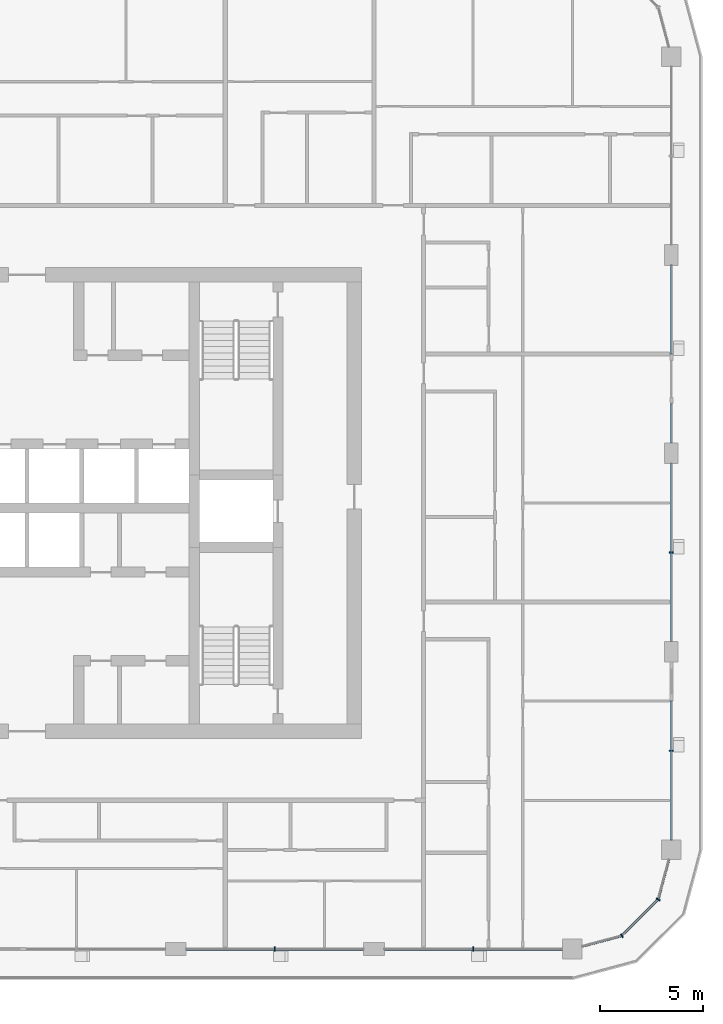
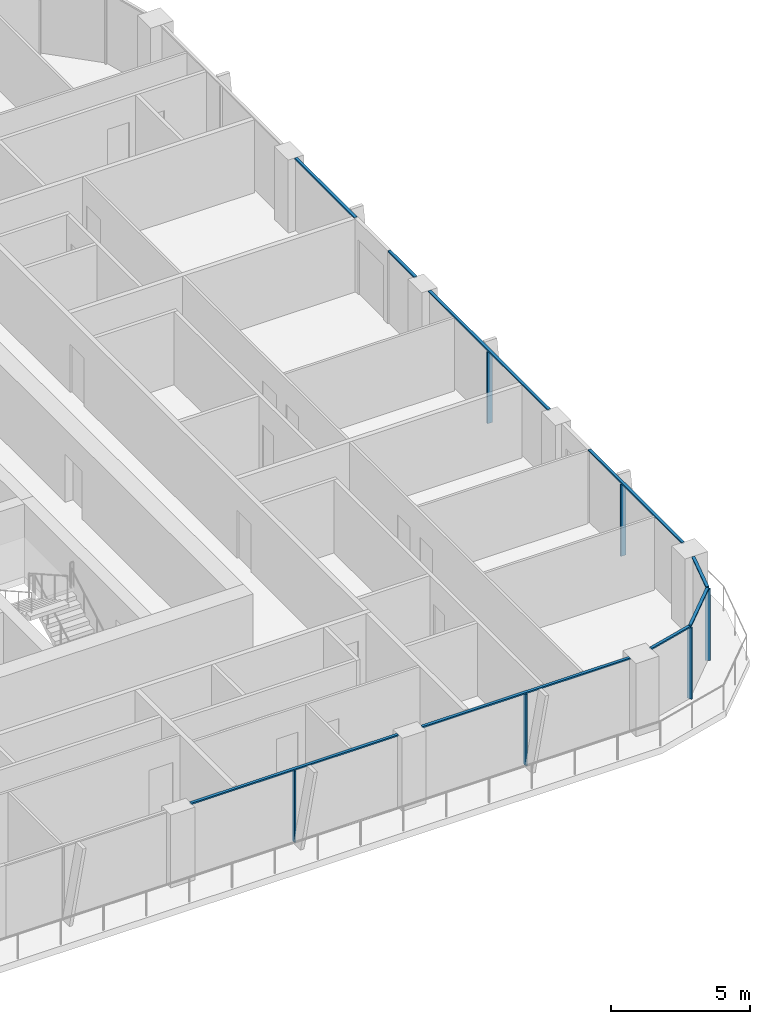
# One storey, part 4 of 23: 15 members, 6 elements without a shape of their own.
"""IFC4 building model written with IfcOpenShell, lengths in metres."""

from ifc_helpers import new_model, si_unit, direction, frame, origin, origin_2d, place, context, subcontext, project, spatial, rectangle, extrude, material, layer, layer_set, material_profile, profile_set, type_object, element, aggregate, save


model = new_model("IFC4")

# Units and contexts
model_context = context("Model", 3, precision=1e-05, world=origin(), true_north=direction((0.0, 1.0)))
body_context = subcontext(model_context, "Body", "Model", "MODEL_VIEW")
ifc_project = project(units=[si_unit("LENGTHUNIT", "METRE"), si_unit("AREAUNIT", "SQUARE_METRE"), si_unit("VOLUMEUNIT", "CUBIC_METRE"), si_unit("PLANEANGLEUNIT", "RADIAN"), si_unit("MASSUNIT", "GRAM", prefix="KILO")], contexts=[model_context])

# Site, building, storey
site_placement = place(None, origin())
site = spatial("IfcSite", under=ifc_project, at=site_placement, CompositionType="ELEMENT")
building_placement = place(site_placement, origin())
building = spatial("IfcBuilding", under=site, at=building_placement, Name="Madar Terraces", CompositionType="ELEMENT")
storey_placement = place(building_placement, frame((0.0, 0.0, 212.300048828125)))
storey = spatial("IfcBuildingStorey", under=building, at=storey_placement, Name="L55", CompositionType="ELEMENT", Elevation=212.300048828125)

# Curtain wall, member
ifc_material_1 = material(Name="Glass, ceramic frit dark grey, with black aluminium frame", Category="aluminium")
ifc_layer = layer(ifc_material_1, 0.199951171875)
ifc_layer_set = layer_set([ifc_layer], Name="Facade curtain wall, fritted glass")
curtain_wall_type = type_object("IfcCurtainWallType", Name="Facade curtain wall, fritted glass", PredefinedType="NOTDEFINED", material=ifc_layer_set)
curtain_wall_1_placement = place(storey_placement, origin())
curtain_wall_1 = element("IfcCurtainWall", 1, at=curtain_wall_1_placement, inside=storey, type_object=curtain_wall_type, Name="Outer skin curtain wall south bay 4", PredefinedType="NOTDEFINED")
ifc_material_2 = material(Name="Aluminium, black anodised", Category="aluminium")
ifc_material_profile_1 = material_profile(ifc_material_2, rectangle(XDim=0.199951171875, YDim=0.06005859375, at=origin_2d()), Name="Facade mullion 60x200")
ifc_profile_set_1 = profile_set([ifc_material_profile_1], Name="Aluminium, black anodised")
member_type_1 = type_object("IfcMemberType", Name="Facade mullion 60x200", PredefinedType="MULLION", material=ifc_profile_set_1)
member_1_placement = place(storey_placement, frame((43.199951171875, 4.800048828125, 0.0), z_axis=(0.0, 0.0, 1.0), x_axis=(0.0, 1.0, 0.0)))
member_1 = element("IfcMember", 2, at=member_1_placement, type_object=member_type_1, Name="Mullion 1", PredefinedType="MULLION", context=body_context, shape_type="SweptSolid", body=[
    extrude(rectangle(XDim=0.199951171875, YDim=0.06005859375, at=origin_2d()), origin(), (0.0, 0.0, 1.0), 3.139892578125),
])

curtain_wall_2_placement = place(storey_placement, origin())
curtain_wall_2 = element("IfcCurtainWall", 3, at=curtain_wall_2_placement, inside=storey, type_object=curtain_wall_type, Name="Outer skin curtain wall south bay 5", PredefinedType="NOTDEFINED")
member_2_placement = place(storey_placement, frame((52.800048828125, 4.800048828125, 0.0), z_axis=(0.0, 0.0, 1.0), x_axis=(0.0, 1.0, 0.0)))
member_2 = element("IfcMember", 4, at=member_2_placement, type_object=member_type_1, Name="Mullion 1", PredefinedType="MULLION", context=body_context, shape_type="SweptSolid", body=[
    extrude(rectangle(XDim=0.199951171875, YDim=0.06005859375, at=origin_2d()), origin(), (0.0, 0.0, 1.0), 3.139892578125),
])

curtain_wall_3_placement = place(storey_placement, origin())
curtain_wall_3 = element("IfcCurtainWall", 5, at=curtain_wall_3_placement, inside=storey, type_object=curtain_wall_type, Name="Outer skin curtain wall east bay 1", PredefinedType="NOTDEFINED")
member_3_placement = place(storey_placement, frame((62.39990234375, 14.39990234375, 0.0), z_axis=(0.0, 0.0, 1.0), x_axis=(-1.0, 0.0, 0.0)))
member_3 = element("IfcMember", 6, at=member_3_placement, type_object=member_type_1, Name="Mullion 1", PredefinedType="MULLION", context=body_context, shape_type="SweptSolid", body=[
    extrude(rectangle(XDim=0.199951171875, YDim=0.06005859375, at=origin_2d()), origin(), (0.0, 0.0, 1.0), 3.139892578125),
])

curtain_wall_4_placement = place(storey_placement, origin())
curtain_wall_4 = element("IfcCurtainWall", 7, at=curtain_wall_4_placement, inside=storey, type_object=curtain_wall_type, Name="Outer skin curtain wall east bay 2", PredefinedType="NOTDEFINED")
member_4_placement = place(storey_placement, frame((62.39990234375, 24.0, 0.0), z_axis=(0.0, 0.0, 1.0), x_axis=(-1.0, 0.0, 0.0)))
member_4 = element("IfcMember", 8, at=member_4_placement, type_object=member_type_1, Name="Mullion 1", PredefinedType="MULLION", context=body_context, shape_type="SweptSolid", body=[
    extrude(rectangle(XDim=0.199951171875, YDim=0.06005859375, at=origin_2d()), origin(), (0.0, 0.0, 1.0), 3.139892578125),
])

# Curtain wall, members
curtain_wall_5_placement = place(storey_placement, origin())
curtain_wall_5 = element("IfcCurtainWall", 9, at=curtain_wall_5_placement, inside=storey, type_object=curtain_wall_type, Name="Outer skin curtain wall south-east corner", PredefinedType="NOTDEFINED")
member_5_placement = place(storey_placement, frame((60.0, 5.443115234375, 0.0), z_axis=(0.0, 0.0, 1.0), x_axis=(-0.499999989586, 0.866025409797, 0.0)))
member_5 = element("IfcMember", 10, at=member_5_placement, type_object=member_type_1, Name="Mullion 1", PredefinedType="MULLION", context=body_context, shape_type="SweptSolid", body=[
    extrude(rectangle(XDim=0.199951171875, YDim=0.06005859375, at=origin_2d()), origin(), (0.0, 0.0, 1.0), 3.139892578125),
])
member_6_placement = place(storey_placement, frame((61.7568359375, 7.199951171875, 0.0), z_axis=(0.0, 0.0, 1.0), x_axis=(-0.866025409797, 0.499999989586, 0.0)))
member_6 = element("IfcMember", 11, at=member_6_placement, type_object=member_type_1, Name="Mullion 2", PredefinedType="MULLION", context=body_context, shape_type="SweptSolid", body=[
    extrude(rectangle(XDim=0.199951171875, YDim=0.06005859375, at=origin_2d()), origin(), (0.0, 0.0, 1.0), 3.139892578125),
])

# Member
ifc_material_3 = material(Name="Aluminium, black anodised", Category="aluminium")
ifc_material_profile_2 = material_profile(ifc_material_3, rectangle(XDim=0.1201171875, YDim=0.06005859375, at=origin_2d()), Name="Facade transom 60x120")
ifc_profile_set_2 = profile_set([ifc_material_profile_2], Name="Aluminium, black anodised")
member_type_2 = type_object("IfcMemberType", Name="Facade transom 60x120", PredefinedType="USERDEFINED", material=ifc_profile_set_2)
member_7_placement = place(storey_placement, frame((38.89990234375, 4.800048828125, 3.169921875), z_axis=(1.0, 0.0, 0.0), x_axis=(0.0, 1.0, 0.0)))
member_7 = element("IfcMember", 12, at=member_7_placement, type_object=member_type_2, Name="Transom 1", ObjectType="TRANSOM", PredefinedType="USERDEFINED", context=body_context, shape_type="SweptSolid", body=[
    extrude(rectangle(XDim=0.1201171875, YDim=0.06005859375, at=origin_2d()), origin(), (0.0, 0.0, 1.0), 8.60009765625),
])

aggregate(curtain_wall_1, [member_1, member_7])

member_8_placement = place(storey_placement, frame((48.5, 4.800048828125, 3.169921875), z_axis=(1.0, 0.0, 0.0), x_axis=(0.0, 1.0, 0.0)))
member_8 = element("IfcMember", 13, at=member_8_placement, type_object=member_type_2, Name="Transom 1", ObjectType="TRANSOM", PredefinedType="USERDEFINED", context=body_context, shape_type="SweptSolid", body=[
    extrude(rectangle(XDim=0.1201171875, YDim=0.06005859375, at=origin_2d()), origin(), (0.0, 0.0, 1.0), 8.625),
])

aggregate(curtain_wall_2, [member_2, member_8])

member_9_placement = place(storey_placement, frame((62.39990234375, 10.074951171875, 3.169921875), z_axis=(0.0, 1.0, 0.0), x_axis=(-1.0, 0.0, 0.0)))
member_9 = element("IfcMember", 14, at=member_9_placement, type_object=member_type_2, Name="Transom 1", ObjectType="TRANSOM", PredefinedType="USERDEFINED", context=body_context, shape_type="SweptSolid", body=[
    extrude(rectangle(XDim=0.1201171875, YDim=0.06005859375, at=origin_2d()), origin(), (0.0, 0.0, 1.0), 6.72509765625),
])

aggregate(curtain_wall_3, [member_3, member_9])

member_10_placement = place(storey_placement, frame((62.39990234375, 19.699951171875, 3.169921875), z_axis=(0.0, 1.0, 0.0), x_axis=(-1.0, 0.0, 0.0)))
member_10 = element("IfcMember", 15, at=member_10_placement, type_object=member_type_2, Name="Transom 1", ObjectType="TRANSOM", PredefinedType="USERDEFINED", context=body_context, shape_type="SweptSolid", body=[
    extrude(rectangle(XDim=0.1201171875, YDim=0.06005859375, at=origin_2d()), origin(), (0.0, 0.0, 1.0), 8.60009765625),
])

aggregate(curtain_wall_4, [member_4, member_10])

# Curtain wall, members
curtain_wall_6_placement = place(storey_placement, origin())
curtain_wall_6 = element("IfcCurtainWall", 16, at=curtain_wall_6_placement, inside=storey, type_object=curtain_wall_type, Name="Outer skin curtain wall east bay 3", PredefinedType="NOTDEFINED")
member_11_placement = place(storey_placement, frame((62.39990234375, 29.300048828125, 3.169921875), z_axis=(0.0, 1.0, 0.0), x_axis=(-1.0, 0.0, 0.0)))
member_11 = element("IfcMember", 17, at=member_11_placement, type_object=member_type_2, Name="Transom 1", ObjectType="TRANSOM", PredefinedType="USERDEFINED", context=body_context, shape_type="SweptSolid", body=[
    extrude(rectangle(XDim=0.1201171875, YDim=0.06005859375, at=origin_2d()), origin(), (0.0, 0.0, 1.0), 1.89990234375),
])
member_12_placement = place(storey_placement, frame((62.39990234375, 33.60009765625, 3.169921875), z_axis=(0.0, 1.0, 0.0), x_axis=(-1.0, 0.0, 0.0)))
member_12 = element("IfcMember", 18, at=member_12_placement, type_object=member_type_2, Name="Transom 2", ObjectType="TRANSOM", PredefinedType="USERDEFINED", context=body_context, shape_type="SweptSolid", body=[
    extrude(rectangle(XDim=0.1201171875, YDim=0.06005859375, at=origin_2d()), origin(), (0.0, 0.0, 1.0), 4.2998046875),
])
aggregate(curtain_wall_6, [member_11, member_12])

# Member
member_13_placement = place(storey_placement, frame((58.074951171875, 4.92724609375, 3.169921875), z_axis=(0.96592251241, 0.258831412352, 0.0), x_axis=(-0.258831412352, 0.96592251241, 0.0)))
member_13 = element("IfcMember", 19, at=member_13_placement, type_object=member_type_2, Name="Transom 1", ObjectType="TRANSOM", PredefinedType="USERDEFINED", context=body_context, shape_type="SweptSolid", body=[
    extrude(rectangle(XDim=0.1201171875, YDim=0.06005859375, at=origin_2d()), origin(), (0.0, 0.0, 1.0), 1.962890625),
])

member_14_placement = place(storey_placement, frame((60.021240234375, 5.46435546875, 3.169921875), z_axis=(0.707106781187, 0.707106781187, 0.0), x_axis=(-0.707106781187, 0.707106781187, 0.0)))
member_14 = element("IfcMember", 20, at=member_14_placement, type_object=member_type_2, Name="Transom 2", ObjectType="TRANSOM", PredefinedType="USERDEFINED", context=body_context, shape_type="SweptSolid", body=[
    extrude(rectangle(XDim=0.1201171875, YDim=0.06005859375, at=origin_2d()), origin(), (0.0, 0.0, 1.0), 2.424560546875),
])

member_15_placement = place(storey_placement, frame((61.7646484375, 7.22900390625, 3.169921875), z_axis=(0.258831412352, 0.96592251241, 0.0), x_axis=(-0.96592251241, 0.258831412352, 0.0)))
member_15 = element("IfcMember", 21, at=member_15_placement, type_object=member_type_2, Name="Transom 3", ObjectType="TRANSOM", PredefinedType="USERDEFINED", context=body_context, shape_type="SweptSolid", body=[
    extrude(rectangle(XDim=0.1201171875, YDim=0.06005859375, at=origin_2d()), origin(), (0.0, 0.0, 1.0), 1.962890625),
])

aggregate(curtain_wall_5, [member_5, member_13, member_6, member_14, member_15])

save(model, "model.ifc")
